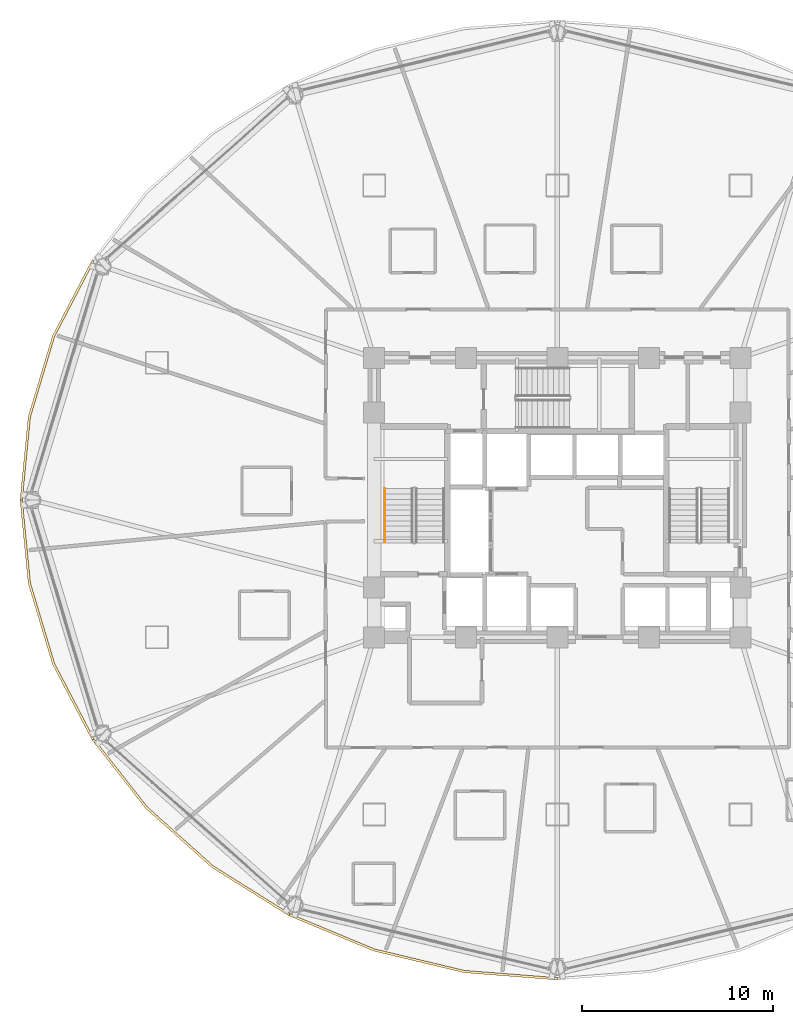
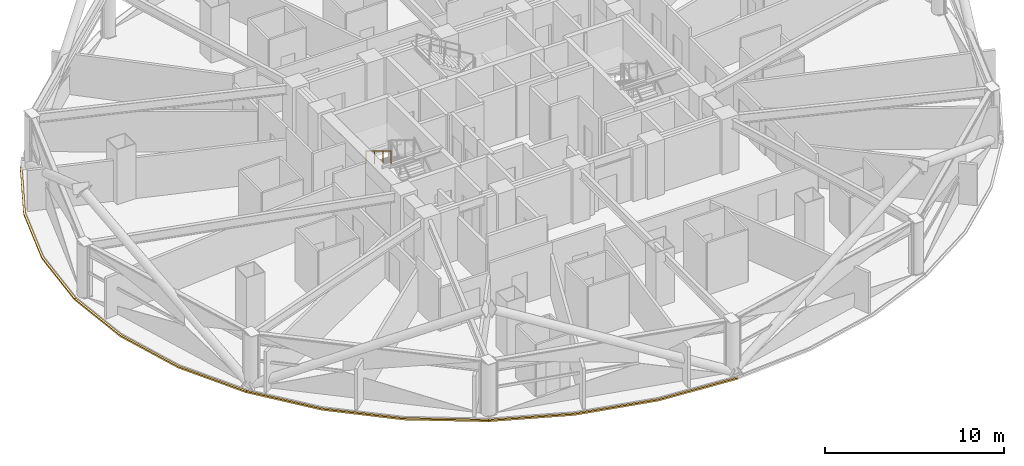
# One storey, part 26 of 30: 4 coverings, 1 railing.
"""IFC4 building model written with IfcOpenShell, lengths in metres."""

from ifc_helpers import new_model, si_unit, direction, frame, origin, origin_2d, place, context, subcontext, project, spatial, polyline, rectangle, outline, extrude, material, layer, layer_set, type_object, element, save


model = new_model("IFC4")

# Units and contexts
model_context = context("Model", 3, precision=1e-05, world=origin(), true_north=direction((0.0, 1.0)))
body_context = subcontext(model_context, "Body", "Model", "MODEL_VIEW")
ifc_project = project(units=[si_unit("LENGTHUNIT", "METRE"), si_unit("AREAUNIT", "SQUARE_METRE"), si_unit("VOLUMEUNIT", "CUBIC_METRE"), si_unit("PLANEANGLEUNIT", "RADIAN"), si_unit("MASSUNIT", "GRAM", prefix="KILO")], contexts=[model_context])

# Site, building, storey
site_placement = place(None, origin())
site = spatial("IfcSite", under=ifc_project, at=site_placement, CompositionType="ELEMENT")
building_placement = place(site_placement, origin())
building = spatial("IfcBuilding", under=site, at=building_placement, Name="Vantalir Tower", CompositionType="ELEMENT")
storey_placement = place(building_placement, frame((0.0, 0.0, 79.5)))
storey = spatial("IfcBuildingStorey", under=building, at=storey_placement, Name="L19", CompositionType="ELEMENT", Elevation=79.5)

# Coverings
ifc_material_1 = material(Name="Anodised champagne aluminium sill fascia", Category="aluminium")
ifc_layer = layer(ifc_material_1, 0.125)
ifc_layer_set = layer_set([ifc_layer], Name="Anodised champagne aluminium sill fascia")
covering_type = type_object("IfcCoveringType", Name="COV-SLAB-FASCIA-125", PredefinedType="CLADDING", material=ifc_layer_set)
covering_1_placement = place(storey_placement, frame((0.0, 0.0, -0.179931640625)))
element("IfcCovering", 1, at=covering_1_placement, inside=storey, type_object=covering_type, Name="L19 Perimeter Slab-Edge Sill Fascia 06", PredefinedType="CLADDING", context=body_context, shape_type="SweptSolid", body=[
    extrude(outline(polyline([(7.10009765625, 37.5849609375), (5.02392578125, 33.60888671875), (3.7529296875, 29.37109375), (3.324951171875, 25.0), (3.449951171875, 25.0), (3.8759765625, 29.34912109375), (5.14208984375, 33.56591796875), (7.2080078125, 37.52197265625), (7.10009765625, 37.5849609375)])), origin(), (0.0, 0.0, 1.0), 0.10498046875),
])
covering_2_placement = place(storey_placement, frame((0.0, 0.0, -0.179931640625)))
element("IfcCovering", 2, at=covering_2_placement, inside=storey, type_object=covering_type, Name="L19 Perimeter Slab-Edge Sill Fascia 07", PredefinedType="CLADDING", context=body_context, shape_type="SweptSolid", body=[
    extrude(outline(polyline([(3.324951171875, 25.0), (3.7529296875, 20.62890625), (5.02392578125, 16.39111328125), (7.10009765625, 12.4150390625), (7.2080078125, 12.47705078125), (5.14208984375, 16.43408203125), (3.8759765625, 20.65087890625), (3.449951171875, 25.0), (3.324951171875, 25.0)])), origin(), (0.0, 0.0, 1.0), 0.10498046875),
])
covering_3_placement = place(storey_placement, frame((0.0, 0.0, -0.179931640625)))
element("IfcCovering", 3, at=covering_3_placement, inside=storey, type_object=covering_type, Name="L19 Perimeter Slab-Edge Sill Fascia 08", PredefinedType="CLADDING", context=body_context, shape_type="SweptSolid", body=[
    extrude(outline(polyline([(7.10009765625, 12.4150390625), (9.9169921875, 8.821044921875), (13.388916015625, 5.718994140625), (17.412109375, 3.201904296875), (17.47509765625, 3.31005859375), (13.469970703125, 5.81396484375), (10.011962890625, 8.90087890625), (7.2080078125, 12.47705078125), (7.10009765625, 12.4150390625)])), origin(), (0.0, 0.0, 1.0), 0.10498046875),
])
covering_4_placement = place(storey_placement, frame((0.0, 0.0, -0.179931640625)))
element("IfcCovering", 4, at=covering_4_placement, inside=storey, type_object=covering_type, Name="L19 Perimeter Slab-Edge Sill Fascia 09", PredefinedType="CLADDING", context=body_context, shape_type="SweptSolid", body=[
    extrude(outline(polyline([(17.412109375, 3.201904296875), (21.864013671875, 1.347900390625), (26.60693359375, 0.2119140625), (31.5, -0.169921875), (31.5, -0.044921875), (26.62890625, 0.3349609375), (21.906005859375, 1.465087890625), (17.47509765625, 3.31005859375), (17.412109375, 3.201904296875)])), origin(), (0.0, 0.0, 1.0), 0.10498046875),
])

# Railing
ifc_material_2 = material(Name="Brushed stainless steel tubular handrail", Category="steel")
railing_type = type_object("IfcRailingType", Name="RAL-HANDRAIL-900", PredefinedType="HANDRAIL", material=ifc_material_2)
railing_placement = place(storey_placement, frame((22.449951171875, 25.590087890625, 2.04541015625)))
element("IfcRailing", 5, at=railing_placement, inside=storey, type_object=railing_type, Name="L19 ST1 stair handrail 2", PredefinedType="HANDRAIL", context=body_context, shape_type="SweptSolid", body=[
    extrude(rectangle(XDim=0.048095703125, YDim=0.048095703125, at=origin_2d()), frame((0.0, 0.0, 0.8759765625), z_axis=(0.0, -0.854169791009, 0.51999420009), x_axis=(1.0, 0.0, 0.0)), (0.0, 0.0, 1.0), 3.278076171875),
    extrude(rectangle(XDim=0.0419921875, YDim=0.0419921875, at=origin_2d()), origin(), (0.0, 0.0, 1.0), 0.851806640625),
    extrude(rectangle(XDim=0.0419921875, YDim=0.0419921875, at=origin_2d()), frame((0.0, -0.933349609375, 0.568115234375)), (0.0, 0.0, 1.0), 0.851806640625),
    extrude(rectangle(XDim=0.0419921875, YDim=0.0419921875, at=origin_2d()), frame((0.0, -1.86669921875, 1.136474609375)), (0.0, 0.0, 1.0), 0.851806640625),
    extrude(rectangle(XDim=0.0419921875, YDim=0.0419921875, at=origin_2d()), frame((0.0, -2.800048828125, 1.70458984375)), (0.0, 0.0, 1.0), 0.851806640625),
])

save(model, "model.ifc")
